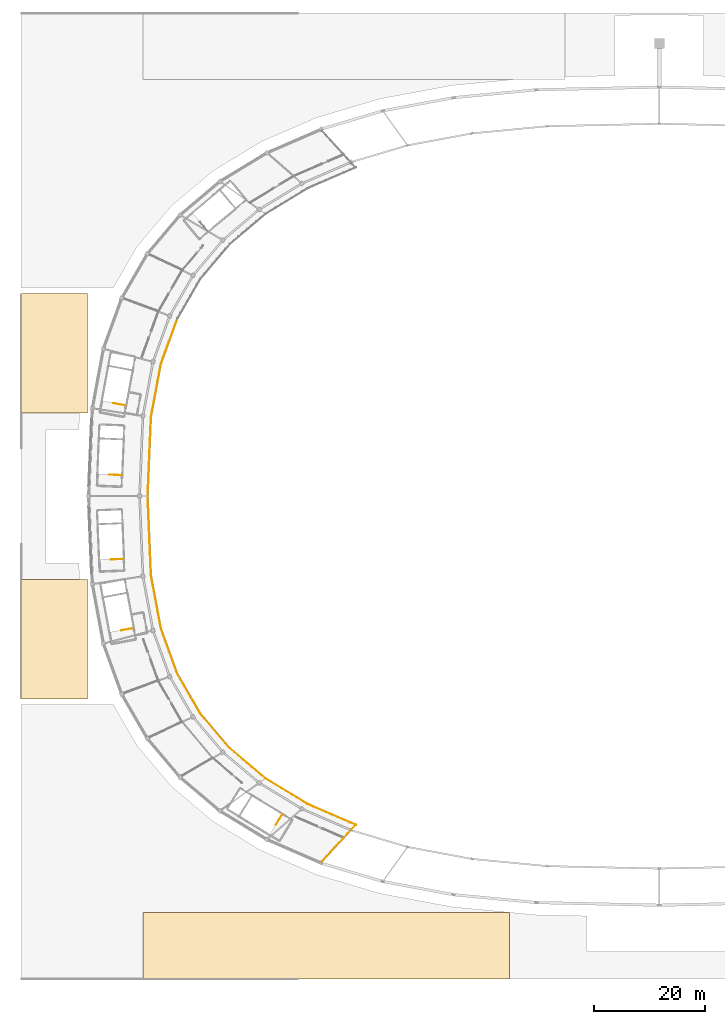
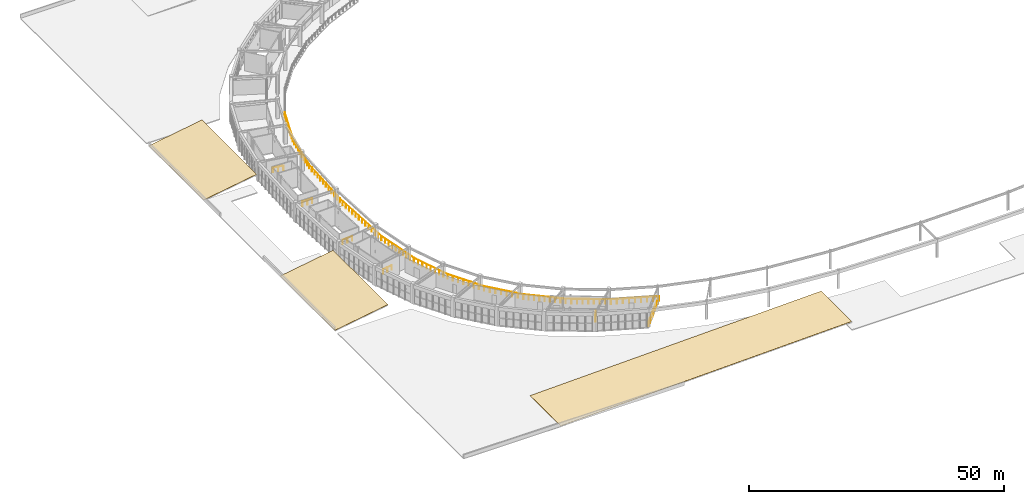
# One storey, part 42 of 45: 8 railings, 3 coverings.
"""IFC4 building model written with IfcOpenShell, lengths in metres."""

from ifc_helpers import new_model, si_unit, direction, frame, origin, origin_2d, place, context, subcontext, project, spatial, polyline, circle, outline, extrude, material, layer, layer_set, type_object, element, save


model = new_model("IFC4")

# Units and contexts
model_context = context("Model", 3, precision=1e-05, world=origin(), true_north=direction((0.0, 1.0)))
body_context = subcontext(model_context, "Body", "Model", "MODEL_VIEW")
ifc_project = project(units=[si_unit("LENGTHUNIT", "METRE"), si_unit("AREAUNIT", "SQUARE_METRE"), si_unit("VOLUMEUNIT", "CUBIC_METRE"), si_unit("PLANEANGLEUNIT", "RADIAN"), si_unit("MASSUNIT", "GRAM", prefix="KILO")], contexts=[model_context])

# Site, building, storey
site_placement = place(None, origin())
site = spatial("IfcSite", under=ifc_project, at=site_placement, CompositionType="ELEMENT")
building_placement = place(site_placement, origin())
building = spatial("IfcBuilding", under=site, at=building_placement, Name="Mphavela Belvedere Stadium", CompositionType="ELEMENT")
storey_placement = place(building_placement, frame((0.0, 0.0, 24.0)))
storey = spatial("IfcBuildingStorey", under=building, at=storey_placement, Name="L05", CompositionType="ELEMENT", Elevation=24.0)

# Coverings
ifc_material_1 = material(Name="Standing-seam zinc roofing membrane")
ifc_layer = layer(ifc_material_1, 0.030029296875)
ifc_layer_set = layer_set([ifc_layer], Name="Standing-seam zinc roofing membrane")
covering_type = type_object("IfcCoveringType", Name="COV-ROOF-ZINC", PredefinedType="ROOFING", material=ifc_layer_set)
covering_placement = place(storey_placement, frame((22.0, 0.0, 0.280029296875), z_axis=(-0.029531828515, 0.0, 0.999563840435), x_axis=(0.999563840435, 0.0, 0.029531828515)))
element("IfcCovering", 1, at=covering_placement, inside=storey, type_object=covering_type, Name="South Axial Triumphal Peristyle Portico standing-seam zinc roofing W", PredefinedType="ROOFING", context=body_context, shape_type="SweptSolid", body=[
    extrude(outline(polyline([(0.0, 0.0), (66.02879909231045, 0.0), (66.02879909231045, 12.0), (0.0, 12.0), (0.0, 0.0)])), origin(), (0.0, 0.0, -1.0), 0.030029296875),
])
for number, where, z_axis, x_axis, name in (
    (2, (0.0, 50.5, 0.27001953125), (-0.161194163827, 0.0, 0.986922713057), (0.986922713057, 0.0, 0.161194163827), "West Planted Eaves Peristyle Colonnade standing-seam zinc roofing S"),
    (3, (0.0, 102.0, 0.27001953125), (-0.161194163827, 0.0, 0.986922713057), (0.986922713057, 0.0, 0.161194163827), "West Planted Eaves Peristyle Colonnade standing-seam zinc roofing N"),
):
    element("IfcCovering", number, at=place(storey_placement, frame(where, z_axis=z_axis, x_axis=x_axis)), inside=storey, type_object=covering_type, Name=name, PredefinedType="ROOFING", context=body_context, shape_type="SweptSolid", body=[
        extrude(outline(polyline([(0.0, 0.0), (12.15900682113987, 0.0), (12.15900682113987, 21.5), (0.0, 21.5), (0.0, 0.0)])), origin(), (0.0, 0.0, -1.0), 0.030029296875),
    ])

# Railings
ifc_material_2 = material(Name="Bronze and laminated glass stadium balustrade", Category="glass")
railing_type_1 = type_object("IfcRailingType", Name="RAL-BALUSTRADE-1120", PredefinedType="BALUSTRADE", material=ifc_material_2)
railing_1_placement = place(storey_placement, frame((28.195068359375, 118.9794921875, 0.0)))
element("IfcRailing", 4, at=railing_1_placement, inside=storey, type_object=railing_type_1, Name="Broadcast gondola bowl balustrade L05-G2", PredefinedType="BALUSTRADE", context=body_context, shape_type="SweptSolid", body=[
    extrude(circle(Radius=0.02392578125, at=origin_2d()), frame((0.0, 0.0, 1.09619140625), z_axis=(-0.341044075019, -0.940047306732, 0.0), x_axis=(0.940047306732, -0.341044075019, 0.0)), (0.0, 0.0, 1.0), 8.69482421875),
    extrude(circle(Radius=0.02392578125, at=origin_2d()), frame((-2.96533203125, -8.173583984375, 1.09619140625), z_axis=(-0.182627048615, -0.983182262408, 0.0), x_axis=(0.983182262408, -0.182627048615, 0.0)), (0.0, 0.0, 1.0), 9.76953125),
    extrude(circle(Radius=0.02392578125, at=origin_2d()), frame((-4.74951171875, -17.77880859375, 1.09619140625), z_axis=(-0.04189489762, -0.999122023355, 0.0), x_axis=(0.999122023355, -0.04189489762, 0.0)), (0.0, 0.0, 1.0), 14.213134765625),
    extrude(circle(Radius=0.02392578125, at=origin_2d()), frame((-5.344970703125, -31.9794921875, 1.09619140625), z_axis=(0.04189489762, -0.999122023355, 0.0), x_axis=(0.999122023355, 0.04189489762, 0.0)), (0.0, 0.0, 1.0), 14.213134765625),
    extrude(circle(Radius=0.02392578125, at=origin_2d()), frame((-4.74951171875, -46.18017578125, 1.09619140625), z_axis=(0.182627048615, -0.983182262408, 0.0), x_axis=(0.983182262408, 0.182627048615, 0.0)), (0.0, 0.0, 1.0), 9.76953125),
    extrude(circle(Radius=0.02392578125, at=origin_2d()), frame((-2.96533203125, -55.785400390625, 1.09619140625), z_axis=(0.341044075019, -0.940047306732, 0.0), x_axis=(0.940047306732, 0.341044075019, 0.0)), (0.0, 0.0, 1.0), 8.69482421875),
    extrude(circle(Radius=0.02099609375, at=origin_2d()), origin(), (0.0, 0.0, 1.0), 1.072021484375),
    extrude(circle(Radius=0.02099609375, at=origin_2d()), frame((-0.37060546875, -1.021728515625, 0.0)), (0.0, 0.0, 1.0), 1.072021484375),
    extrude(circle(Radius=0.02099609375, at=origin_2d()), frame((-0.7412109375, -2.04345703125, 0.0)), (0.0, 0.0, 1.0), 1.072021484375),
    extrude(circle(Radius=0.02099609375, at=origin_2d()), frame((-1.112060546875, -3.065185546875, 0.0)), (0.0, 0.0, 1.0), 1.072021484375),
    extrude(circle(Radius=0.02099609375, at=origin_2d()), frame((-1.482666015625, -4.0869140625, 0.0)), (0.0, 0.0, 1.0), 1.072021484375),
    extrude(circle(Radius=0.02099609375, at=origin_2d()), frame((-1.853271484375, -5.1083984375, 0.0)), (0.0, 0.0, 1.0), 1.072021484375),
    extrude(circle(Radius=0.02099609375, at=origin_2d()), frame((-2.22412109375, -6.130126953125, 0.0)), (0.0, 0.0, 1.0), 1.072021484375),
    extrude(circle(Radius=0.02099609375, at=origin_2d()), frame((-2.5947265625, -7.15185546875, 0.0)), (0.0, 0.0, 1.0), 1.072021484375),
    extrude(circle(Radius=0.02099609375, at=origin_2d()), frame((-2.96533203125, -8.173583984375, 0.0)), (0.0, 0.0, 1.0), 1.072021484375),
    extrude(circle(Radius=0.02099609375, at=origin_2d()), frame((-3.16357421875, -9.24072265625, 0.0)), (0.0, 0.0, 1.0), 1.072021484375),
    extrude(circle(Radius=0.02099609375, at=origin_2d()), frame((-3.36181640625, -10.30810546875, 0.0)), (0.0, 0.0, 1.0), 1.072021484375),
    extrude(circle(Radius=0.02099609375, at=origin_2d()), frame((-3.56005859375, -11.375244140625, 0.0)), (0.0, 0.0, 1.0), 1.072021484375),
    extrude(circle(Radius=0.02099609375, at=origin_2d()), frame((-3.75830078125, -12.442626953125, 0.0)), (0.0, 0.0, 1.0), 1.072021484375),
    extrude(circle(Radius=0.02099609375, at=origin_2d()), frame((-3.95654296875, -13.509765625, 0.0)), (0.0, 0.0, 1.0), 1.072021484375),
    extrude(circle(Radius=0.02099609375, at=origin_2d()), frame((-4.15478515625, -14.5771484375, 0.0)), (0.0, 0.0, 1.0), 1.072021484375),
    extrude(circle(Radius=0.02099609375, at=origin_2d()), frame((-4.35302734375, -15.644287109375, 0.0)), (0.0, 0.0, 1.0), 1.072021484375),
    extrude(circle(Radius=0.02099609375, at=origin_2d()), frame((-4.55126953125, -16.711669921875, 0.0)), (0.0, 0.0, 1.0), 1.072021484375),
    extrude(circle(Radius=0.02099609375, at=origin_2d()), frame((-4.74951171875, -17.77880859375, 0.0)), (0.0, 0.0, 1.0), 1.072021484375),
    extrude(circle(Radius=0.02099609375, at=origin_2d()), frame((-4.799072265625, -18.962158203125, 0.0)), (0.0, 0.0, 1.0), 1.072021484375),
    extrude(circle(Radius=0.02099609375, at=origin_2d()), frame((-4.8486328125, -20.1455078125, 0.0)), (0.0, 0.0, 1.0), 1.072021484375),
    extrude(circle(Radius=0.02099609375, at=origin_2d()), frame((-4.8984375, -21.3291015625, 0.0)), (0.0, 0.0, 1.0), 1.072021484375),
    extrude(circle(Radius=0.02099609375, at=origin_2d()), frame((-4.947998046875, -22.512451171875, 0.0)), (0.0, 0.0, 1.0), 1.072021484375),
    extrude(circle(Radius=0.02099609375, at=origin_2d()), frame((-4.99755859375, -23.69580078125, 0.0)), (0.0, 0.0, 1.0), 1.072021484375),
    extrude(circle(Radius=0.02099609375, at=origin_2d()), frame((-5.04736328125, -24.879150390625, 0.0)), (0.0, 0.0, 1.0), 1.072021484375),
    extrude(circle(Radius=0.02099609375, at=origin_2d()), frame((-5.096923828125, -26.0625, 0.0)), (0.0, 0.0, 1.0), 1.072021484375),
    extrude(circle(Radius=0.02099609375, at=origin_2d()), frame((-5.146484375, -27.245849609375, 0.0)), (0.0, 0.0, 1.0), 1.072021484375),
    extrude(circle(Radius=0.02099609375, at=origin_2d()), frame((-5.196044921875, -28.42919921875, 0.0)), (0.0, 0.0, 1.0), 1.072021484375),
    extrude(circle(Radius=0.02099609375, at=origin_2d()), frame((-5.24560546875, -29.61279296875, 0.0)), (0.0, 0.0, 1.0), 1.072021484375),
    extrude(circle(Radius=0.02099609375, at=origin_2d()), frame((-5.29541015625, -30.796142578125, 0.0)), (0.0, 0.0, 1.0), 1.072021484375),
    extrude(circle(Radius=0.02099609375, at=origin_2d()), frame((-5.344970703125, -31.9794921875, 0.0)), (0.0, 0.0, 1.0), 1.072021484375),
    extrude(circle(Radius=0.02099609375, at=origin_2d()), frame((-5.29541015625, -33.162841796875, 0.0)), (0.0, 0.0, 1.0), 1.072021484375),
    extrude(circle(Radius=0.02099609375, at=origin_2d()), frame((-5.24560546875, -34.34619140625, 0.0)), (0.0, 0.0, 1.0), 1.072021484375),
    extrude(circle(Radius=0.02099609375, at=origin_2d()), frame((-5.196044921875, -35.52978515625, 0.0)), (0.0, 0.0, 1.0), 1.072021484375),
    extrude(circle(Radius=0.02099609375, at=origin_2d()), frame((-5.146484375, -36.713134765625, 0.0)), (0.0, 0.0, 1.0), 1.072021484375),
    extrude(circle(Radius=0.02099609375, at=origin_2d()), frame((-5.096923828125, -37.896484375, 0.0)), (0.0, 0.0, 1.0), 1.072021484375),
    extrude(circle(Radius=0.02099609375, at=origin_2d()), frame((-5.04736328125, -39.079833984375, 0.0)), (0.0, 0.0, 1.0), 1.072021484375),
    extrude(circle(Radius=0.02099609375, at=origin_2d()), frame((-4.99755859375, -40.26318359375, 0.0)), (0.0, 0.0, 1.0), 1.072021484375),
    extrude(circle(Radius=0.02099609375, at=origin_2d()), frame((-4.947998046875, -41.446533203125, 0.0)), (0.0, 0.0, 1.0), 1.072021484375),
    extrude(circle(Radius=0.02099609375, at=origin_2d()), frame((-4.8984375, -42.6298828125, 0.0)), (0.0, 0.0, 1.0), 1.072021484375),
    extrude(circle(Radius=0.02099609375, at=origin_2d()), frame((-4.8486328125, -43.8134765625, 0.0)), (0.0, 0.0, 1.0), 1.072021484375),
    extrude(circle(Radius=0.02099609375, at=origin_2d()), frame((-4.799072265625, -44.996826171875, 0.0)), (0.0, 0.0, 1.0), 1.072021484375),
    extrude(circle(Radius=0.02099609375, at=origin_2d()), frame((-4.74951171875, -46.18017578125, 0.0)), (0.0, 0.0, 1.0), 1.072021484375),
    extrude(circle(Radius=0.02099609375, at=origin_2d()), frame((-4.55126953125, -47.247314453125, 0.0)), (0.0, 0.0, 1.0), 1.072021484375),
    extrude(circle(Radius=0.02099609375, at=origin_2d()), frame((-4.35302734375, -48.314697265625, 0.0)), (0.0, 0.0, 1.0), 1.072021484375),
    extrude(circle(Radius=0.02099609375, at=origin_2d()), frame((-4.15478515625, -49.3818359375, 0.0)), (0.0, 0.0, 1.0), 1.072021484375),
    extrude(circle(Radius=0.02099609375, at=origin_2d()), frame((-3.95654296875, -50.44921875, 0.0)), (0.0, 0.0, 1.0), 1.072021484375),
    extrude(circle(Radius=0.02099609375, at=origin_2d()), frame((-3.75830078125, -51.516357421875, 0.0)), (0.0, 0.0, 1.0), 1.072021484375),
    extrude(circle(Radius=0.02099609375, at=origin_2d()), frame((-3.56005859375, -52.583740234375, 0.0)), (0.0, 0.0, 1.0), 1.072021484375),
    extrude(circle(Radius=0.02099609375, at=origin_2d()), frame((-3.36181640625, -53.65087890625, 0.0)), (0.0, 0.0, 1.0), 1.072021484375),
    extrude(circle(Radius=0.02099609375, at=origin_2d()), frame((-3.16357421875, -54.71826171875, 0.0)), (0.0, 0.0, 1.0), 1.072021484375),
    extrude(circle(Radius=0.02099609375, at=origin_2d()), frame((-2.96533203125, -55.785400390625, 0.0)), (0.0, 0.0, 1.0), 1.072021484375),
    extrude(circle(Radius=0.02099609375, at=origin_2d()), frame((-2.5947265625, -56.80712890625, 0.0)), (0.0, 0.0, 1.0), 1.072021484375),
    extrude(circle(Radius=0.02099609375, at=origin_2d()), frame((-2.22412109375, -57.828857421875, 0.0)), (0.0, 0.0, 1.0), 1.072021484375),
    extrude(circle(Radius=0.02099609375, at=origin_2d()), frame((-1.853271484375, -58.8505859375, 0.0)), (0.0, 0.0, 1.0), 1.072021484375),
    extrude(circle(Radius=0.02099609375, at=origin_2d()), frame((-1.482666015625, -59.8720703125, 0.0)), (0.0, 0.0, 1.0), 1.072021484375),
    extrude(circle(Radius=0.02099609375, at=origin_2d()), frame((-1.112060546875, -60.893798828125, 0.0)), (0.0, 0.0, 1.0), 1.072021484375),
    extrude(circle(Radius=0.02099609375, at=origin_2d()), frame((-0.7412109375, -61.91552734375, 0.0)), (0.0, 0.0, 1.0), 1.072021484375),
    extrude(circle(Radius=0.02099609375, at=origin_2d()), frame((-0.37060546875, -62.937255859375, 0.0)), (0.0, 0.0, 1.0), 1.072021484375),
    extrude(circle(Radius=0.02099609375, at=origin_2d()), frame((0.0, -63.958984375, 0.0)), (0.0, 0.0, 1.0), 1.072021484375),
])
railing_2_placement = place(storey_placement, frame((28.195068359375, 55.0205078125, 0.0)))
element("IfcRailing", 5, at=railing_2_placement, inside=storey, type_object=railing_type_1, Name="Broadcast gondola bowl balustrade L05-G3", PredefinedType="BALUSTRADE", context=body_context, shape_type="SweptSolid", body=[
    extrude(circle(Radius=0.02392578125, at=origin_2d()), frame((0.0, 0.0, 1.09619140625), z_axis=(0.500550366933, -0.865707416027, 0.0), x_axis=(0.865707416027, 0.500550366933, 0.0)), (0.0, 0.0, 1.0), 8.260498046875),
    extrude(circle(Radius=0.02392578125, at=origin_2d()), frame((4.134765625, -7.151123046875, 1.09619140625), z_axis=(0.645174639542, -0.764035133022, 0.0), x_axis=(0.764035133022, 0.645174639542, 0.0)), (0.0, 0.0, 1.0), 8.20166015625),
    extrude(circle(Radius=0.02392578125, at=origin_2d()), frame((9.42626953125, -13.41748046875, 1.09619140625), z_axis=(0.764250856516, -0.644919086642, 0.0), x_axis=(0.644919086642, 0.764250856516, 0.0)), (0.0, 0.0, 1.0), 8.4228515625),
    extrude(circle(Radius=0.02392578125, at=origin_2d()), frame((15.863525390625, -18.849609375, 1.09619140625), z_axis=(0.854326029104, -0.51973746834, 0.0), x_axis=(0.51973746834, 0.854326029104, 0.0)), (0.0, 0.0, 1.0), 8.874267578125),
    extrude(circle(Radius=0.02392578125, at=origin_2d()), frame((23.445068359375, -23.4619140625, 1.09619140625), z_axis=(0.917502356363, -0.39773034341, 0.0), x_axis=(0.39773034341, 0.917502356363, 0.0)), (0.0, 0.0, 1.0), 9.5322265625),
    extrude(circle(Radius=0.02099609375, at=origin_2d()), origin(), (0.0, 0.0, 1.0), 1.072021484375),
    extrude(circle(Radius=0.02099609375, at=origin_2d()), frame((0.590576171875, -1.021484375, 0.0)), (0.0, 0.0, 1.0), 1.072021484375),
    extrude(circle(Radius=0.02099609375, at=origin_2d()), frame((1.181396484375, -2.043212890625, 0.0)), (0.0, 0.0, 1.0), 1.072021484375),
    extrude(circle(Radius=0.02099609375, at=origin_2d()), frame((1.77197265625, -3.064697265625, 0.0)), (0.0, 0.0, 1.0), 1.072021484375),
    extrude(circle(Radius=0.02099609375, at=origin_2d()), frame((2.36279296875, -4.08642578125, 0.0)), (0.0, 0.0, 1.0), 1.072021484375),
    extrude(circle(Radius=0.02099609375, at=origin_2d()), frame((2.953369140625, -5.10791015625, 0.0)), (0.0, 0.0, 1.0), 1.072021484375),
    extrude(circle(Radius=0.02099609375, at=origin_2d()), frame((3.544189453125, -6.129638671875, 0.0)), (0.0, 0.0, 1.0), 1.072021484375),
    extrude(circle(Radius=0.02099609375, at=origin_2d()), frame((4.134765625, -7.151123046875, 0.0)), (0.0, 0.0, 1.0), 1.072021484375),
    extrude(circle(Radius=0.02099609375, at=origin_2d()), frame((4.890625, -8.04638671875, 0.0)), (0.0, 0.0, 1.0), 1.072021484375),
    extrude(circle(Radius=0.02099609375, at=origin_2d()), frame((5.646728515625, -8.94140625, 0.0)), (0.0, 0.0, 1.0), 1.072021484375),
    extrude(circle(Radius=0.02099609375, at=origin_2d()), frame((6.402587890625, -9.836669921875, 0.0)), (0.0, 0.0, 1.0), 1.072021484375),
    extrude(circle(Radius=0.02099609375, at=origin_2d()), frame((7.158447265625, -10.73193359375, 0.0)), (0.0, 0.0, 1.0), 1.072021484375),
    extrude(circle(Radius=0.02099609375, at=origin_2d()), frame((7.914306640625, -11.627197265625, 0.0)), (0.0, 0.0, 1.0), 1.072021484375),
    extrude(circle(Radius=0.02099609375, at=origin_2d()), frame((8.67041015625, -12.522216796875, 0.0)), (0.0, 0.0, 1.0), 1.072021484375),
    extrude(circle(Radius=0.02099609375, at=origin_2d()), frame((9.42626953125, -13.41748046875, 0.0)), (0.0, 0.0, 1.0), 1.072021484375),
    extrude(circle(Radius=0.02099609375, at=origin_2d()), frame((10.23095703125, -14.096435546875, 0.0)), (0.0, 0.0, 1.0), 1.072021484375),
    extrude(circle(Radius=0.02099609375, at=origin_2d()), frame((11.03564453125, -14.775390625, 0.0)), (0.0, 0.0, 1.0), 1.072021484375),
    extrude(circle(Radius=0.02099609375, at=origin_2d()), frame((11.84033203125, -15.45458984375, 0.0)), (0.0, 0.0, 1.0), 1.072021484375),
    extrude(circle(Radius=0.02099609375, at=origin_2d()), frame((12.64501953125, -16.133544921875, 0.0)), (0.0, 0.0, 1.0), 1.072021484375),
    extrude(circle(Radius=0.02099609375, at=origin_2d()), frame((13.449462890625, -16.8125, 0.0)), (0.0, 0.0, 1.0), 1.072021484375),
    extrude(circle(Radius=0.02099609375, at=origin_2d()), frame((14.254150390625, -17.49169921875, 0.0)), (0.0, 0.0, 1.0), 1.072021484375),
    extrude(circle(Radius=0.02099609375, at=origin_2d()), frame((15.058837890625, -18.170654296875, 0.0)), (0.0, 0.0, 1.0), 1.072021484375),
    extrude(circle(Radius=0.02099609375, at=origin_2d()), frame((15.863525390625, -18.849609375, 0.0)), (0.0, 0.0, 1.0), 1.072021484375),
    extrude(circle(Radius=0.02099609375, at=origin_2d()), frame((16.811279296875, -19.42626953125, 0.0)), (0.0, 0.0, 1.0), 1.072021484375),
    extrude(circle(Radius=0.02099609375, at=origin_2d()), frame((17.7587890625, -20.002685546875, 0.0)), (0.0, 0.0, 1.0), 1.072021484375),
    extrude(circle(Radius=0.02099609375, at=origin_2d()), frame((18.70654296875, -20.5791015625, 0.0)), (0.0, 0.0, 1.0), 1.072021484375),
    extrude(circle(Radius=0.02099609375, at=origin_2d()), frame((19.654296875, -21.15576171875, 0.0)), (0.0, 0.0, 1.0), 1.072021484375),
    extrude(circle(Radius=0.02099609375, at=origin_2d()), frame((20.60205078125, -21.732421875, 0.0)), (0.0, 0.0, 1.0), 1.072021484375),
    extrude(circle(Radius=0.02099609375, at=origin_2d()), frame((21.5498046875, -22.308837890625, 0.0)), (0.0, 0.0, 1.0), 1.072021484375),
    extrude(circle(Radius=0.02099609375, at=origin_2d()), frame((22.497314453125, -22.88525390625, 0.0)), (0.0, 0.0, 1.0), 1.072021484375),
    extrude(circle(Radius=0.02099609375, at=origin_2d()), frame((23.445068359375, -23.4619140625, 0.0)), (0.0, 0.0, 1.0), 1.072021484375),
    extrude(circle(Radius=0.02099609375, at=origin_2d()), frame((24.538330078125, -23.935791015625, 0.0)), (0.0, 0.0, 1.0), 1.072021484375),
    extrude(circle(Radius=0.02099609375, at=origin_2d()), frame((25.631591796875, -24.40966796875, 0.0)), (0.0, 0.0, 1.0), 1.072021484375),
    extrude(circle(Radius=0.02099609375, at=origin_2d()), frame((26.724853515625, -24.883544921875, 0.0)), (0.0, 0.0, 1.0), 1.072021484375),
    extrude(circle(Radius=0.02099609375, at=origin_2d()), frame((27.81787109375, -25.357421875, 0.0)), (0.0, 0.0, 1.0), 1.072021484375),
    extrude(circle(Radius=0.02099609375, at=origin_2d()), frame((28.9111328125, -25.83154296875, 0.0)), (0.0, 0.0, 1.0), 1.072021484375),
    extrude(circle(Radius=0.02099609375, at=origin_2d()), frame((30.00439453125, -26.305419921875, 0.0)), (0.0, 0.0, 1.0), 1.072021484375),
    extrude(circle(Radius=0.02099609375, at=origin_2d()), frame((31.09765625, -26.779296875, 0.0)), (0.0, 0.0, 1.0), 1.072021484375),
    extrude(circle(Radius=0.02099609375, at=origin_2d()), frame((32.19091796875, -27.253173828125, 0.0)), (0.0, 0.0, 1.0), 1.072021484375),
])
railing_3_placement = place(storey_placement, frame((60.327392578125, 27.821533203125, 0.0)))
element("IfcRailing", 6, at=railing_3_placement, inside=storey, type_object=railing_type_1, Name="Broadcast gondola south end balustrade L05", PredefinedType="BALUSTRADE", context=body_context, shape_type="SweptSolid", body=[
    extrude(circle(Radius=0.02392578125, at=origin_2d()), frame((0.0, 0.0, 1.09619140625), z_axis=(-0.677860390066, -0.735190649818, 0.0), x_axis=(0.735190649818, -0.677860390066, 0.0)), (0.0, 0.0, 1.0), 8.98974609375),
    extrude(circle(Radius=0.02099609375, at=origin_2d()), origin(), (0.0, 0.0, 1.0), 1.072021484375),
    extrude(circle(Radius=0.02099609375, at=origin_2d()), frame((-0.76171875, -0.826171875, 0.0)), (0.0, 0.0, 1.0), 1.072021484375),
    extrude(circle(Radius=0.02099609375, at=origin_2d()), frame((-1.5234375, -1.65234375, 0.0)), (0.0, 0.0, 1.0), 1.072021484375),
    extrude(circle(Radius=0.02099609375, at=origin_2d()), frame((-2.28515625, -2.478515625, 0.0)), (0.0, 0.0, 1.0), 1.072021484375),
    extrude(circle(Radius=0.02099609375, at=origin_2d()), frame((-3.046875, -3.3046875, 0.0)), (0.0, 0.0, 1.0), 1.072021484375),
    extrude(circle(Radius=0.02099609375, at=origin_2d()), frame((-3.80859375, -4.130615234375, 0.0)), (0.0, 0.0, 1.0), 1.072021484375),
    extrude(circle(Radius=0.02099609375, at=origin_2d()), frame((-4.5703125, -4.956787109375, 0.0)), (0.0, 0.0, 1.0), 1.072021484375),
    extrude(circle(Radius=0.02099609375, at=origin_2d()), frame((-5.33203125, -5.782958984375, 0.0)), (0.0, 0.0, 1.0), 1.072021484375),
    extrude(circle(Radius=0.02099609375, at=origin_2d()), frame((-6.09375, -6.609130859375, 0.0)), (0.0, 0.0, 1.0), 1.072021484375),
])
ifc_material_3 = material(Name="Painted galvanised steel stair guardrail", Category="steel")
railing_type_2 = type_object("IfcRailingType", Name="RAL-GUARD-1120", PredefinedType="GUARDRAIL", material=ifc_material_3)
railing_4_placement = place(storey_placement, frame((18.835693359375, 103.344970703125, 0.0)))
element("IfcRailing", 7, at=railing_4_placement, inside=storey, type_object=railing_type_2, Name="L05 ST-C06 top well guard 1", PredefinedType="GUARDRAIL", context=body_context, shape_type="SweptSolid", body=[
    extrude(circle(Radius=0.02392578125, at=origin_2d()), frame((0.0, 0.0, 1.09619140625), z_axis=(-0.983187870466, 0.182596854762, 0.0), x_axis=(-0.182596854762, -0.983187870466, 0.0)), (0.0, 0.0, 1.0), 2.169921875),
    extrude(circle(Radius=0.02099609375, at=origin_2d()), origin(), (0.0, 0.0, 1.0), 1.072021484375),
    extrude(circle(Radius=0.02099609375, at=origin_2d()), frame((-1.06689453125, 0.1982421875, 0.0)), (0.0, 0.0, 1.0), 1.072021484375),
    extrude(circle(Radius=0.02099609375, at=origin_2d()), frame((-2.133544921875, 0.396240234375, 0.0)), (0.0, 0.0, 1.0), 1.072021484375),
])
railing_5_placement = place(storey_placement, frame((18.120849609375, 90.773681640625, 0.0)))
element("IfcRailing", 8, at=railing_5_placement, inside=storey, type_object=railing_type_2, Name="L05 ST-C07 top well guard 1", PredefinedType="GUARDRAIL", context=body_context, shape_type="SweptSolid", body=[
    extrude(circle(Radius=0.02392578125, at=origin_2d()), frame((0.0, 0.0, 1.09619140625), z_axis=(-0.999123687928, 0.041855181521, 0.0), x_axis=(-0.041855181521, -0.999123687928, 0.0)), (0.0, 0.0, 1.0), 2.169921875),
    extrude(circle(Radius=0.02099609375, at=origin_2d()), origin(), (0.0, 0.0, 1.0), 1.072021484375),
    extrude(circle(Radius=0.02099609375, at=origin_2d()), frame((-1.083984375, 0.04541015625, 0.0)), (0.0, 0.0, 1.0), 1.072021484375),
    extrude(circle(Radius=0.02099609375, at=origin_2d()), frame((-2.16796875, 0.0908203125, 0.0)), (0.0, 0.0, 1.0), 1.072021484375),
])
railing_6_placement = place(storey_placement, frame((18.4375, 75.673095703125, 0.0)))
element("IfcRailing", 9, at=railing_6_placement, inside=storey, type_object=railing_type_2, Name="L05 ST-C08 top well guard 1", PredefinedType="GUARDRAIL", context=body_context, shape_type="SweptSolid", body=[
    extrude(circle(Radius=0.02392578125, at=origin_2d()), frame((0.0, 0.0, 1.09619140625), z_axis=(-0.999123885003, -0.041850476886, 0.0), x_axis=(0.041850476886, -0.999123885003, 0.0)), (0.0, 0.0, 1.0), 2.170166015625),
    extrude(circle(Radius=0.02099609375, at=origin_2d()), origin(), (0.0, 0.0, 1.0), 1.072021484375),
    extrude(circle(Radius=0.02099609375, at=origin_2d()), frame((-1.083984375, -0.04541015625, 0.0)), (0.0, 0.0, 1.0), 1.072021484375),
    extrude(circle(Radius=0.02099609375, at=origin_2d()), frame((-2.168212890625, -0.0908203125, 0.0)), (0.0, 0.0, 1.0), 1.072021484375),
])
railing_7_placement = place(storey_placement, frame((20.2158203125, 63.22216796875, 0.0)))
element("IfcRailing", 10, at=railing_7_placement, inside=storey, type_object=railing_type_2, Name="L05 ST-C09 top well guard 1", PredefinedType="GUARDRAIL", context=body_context, shape_type="SweptSolid", body=[
    extrude(circle(Radius=0.02392578125, at=origin_2d()), frame((0.0, 0.0, 1.09619140625), z_axis=(-0.983187870466, -0.182596854762, 0.0), x_axis=(0.182596854762, -0.983187870466, 0.0)), (0.0, 0.0, 1.0), 2.169921875),
    extrude(circle(Radius=0.02099609375, at=origin_2d()), origin(), (0.0, 0.0, 1.0), 1.072021484375),
    extrude(circle(Radius=0.02099609375, at=origin_2d()), frame((-1.06689453125, -0.1982421875, 0.0)), (0.0, 0.0, 1.0), 1.072021484375),
    extrude(circle(Radius=0.02099609375, at=origin_2d()), frame((-2.133544921875, -0.396240234375, 0.0)), (0.0, 0.0, 1.0), 1.072021484375),
])
railing_8_placement = place(storey_placement, frame((47.078125, 29.66357421875, 0.0)))
element("IfcRailing", 11, at=railing_8_placement, inside=storey, type_object=railing_type_2, Name="L05 ST-C10 top well guard 1", PredefinedType="GUARDRAIL", context=body_context, shape_type="SweptSolid", body=[
    extrude(circle(Radius=0.02392578125, at=origin_2d()), frame((0.0, 0.0, 1.09619140625), z_axis=(-0.519664955396, -0.854370138835, 0.0), x_axis=(0.854370138835, -0.519664955396, 0.0)), (0.0, 0.0, 1.0), 2.169921875),
    extrude(circle(Radius=0.02099609375, at=origin_2d()), origin(), (0.0, 0.0, 1.0), 1.072021484375),
    extrude(circle(Radius=0.02099609375, at=origin_2d()), frame((-0.56396484375, -0.927001953125, 0.0)), (0.0, 0.0, 1.0), 1.072021484375),
    extrude(circle(Radius=0.02099609375, at=origin_2d()), frame((-1.127685546875, -1.85400390625, 0.0)), (0.0, 0.0, 1.0), 1.072021484375),
])

save(model, "model.ifc")
